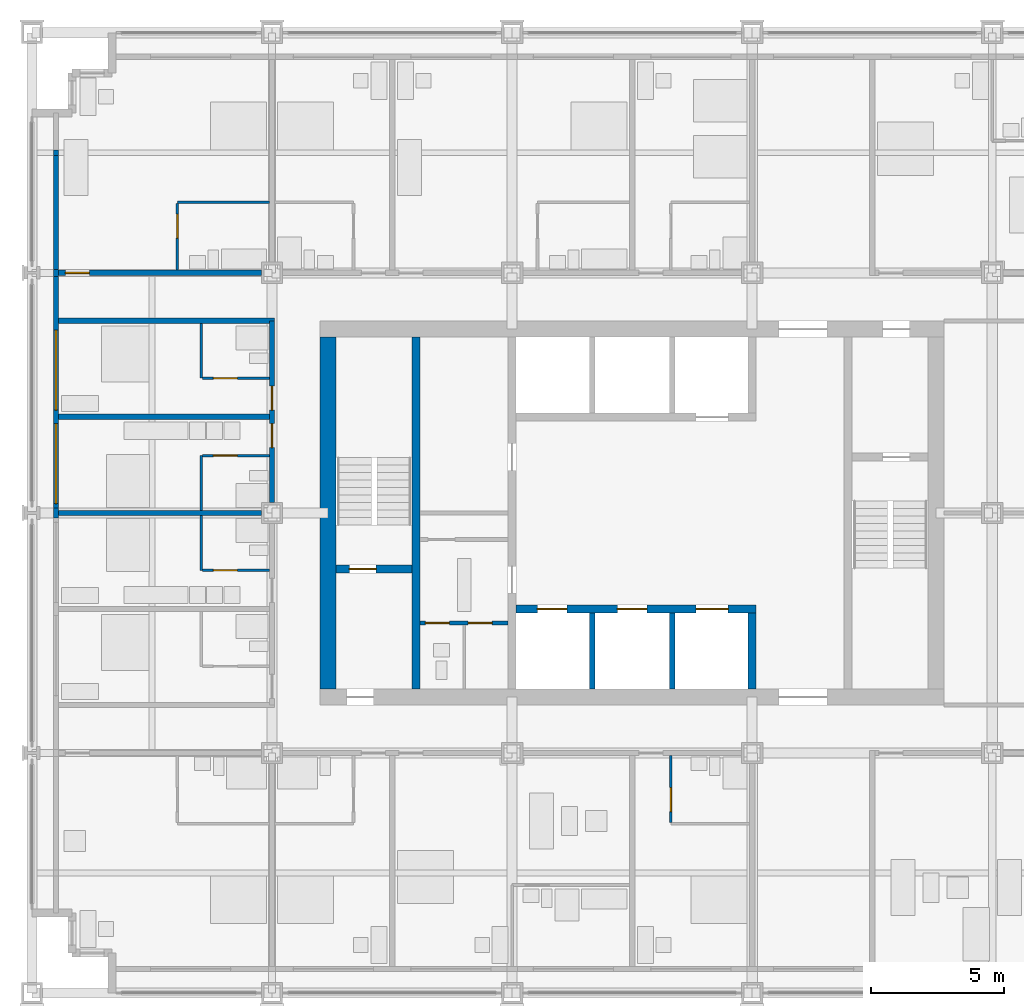
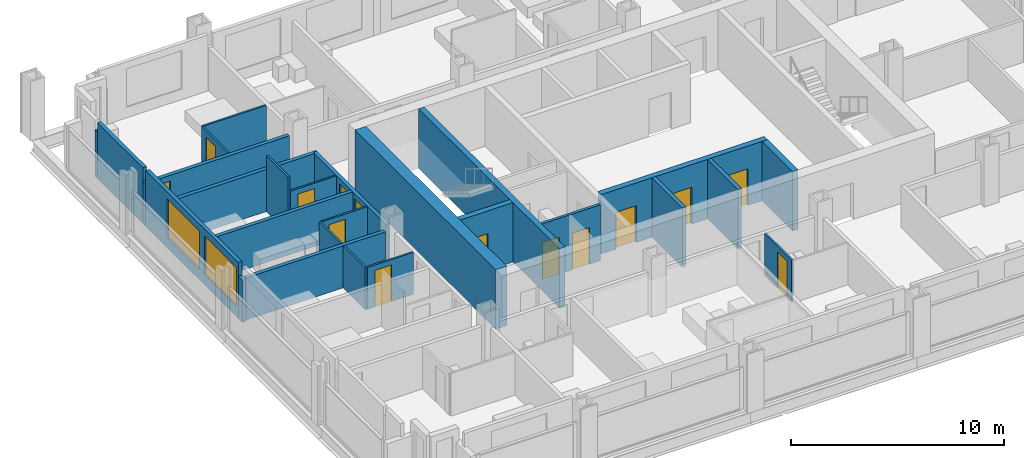
# One storey, part 11 of 18: 27 walls, 14 doors, 2 windows, 16 openings.
"""IFC4 building model written with IfcOpenShell, lengths in metres."""

from ifc_helpers import new_model, si_unit, direction, frame, frame_2d, origin, place, context, subcontext, project, spatial, rectangle, extrude, material, layer, layer_set, type_object, element, fill, save


model = new_model("IFC4")

# Units and contexts
model_context = context("Model", 3, precision=1e-05, world=origin(), true_north=direction((0.0, 1.0)))
body_context = subcontext(model_context, "Body", "Model", "MODEL_VIEW")
ifc_project = project(units=[si_unit("LENGTHUNIT", "METRE"), si_unit("AREAUNIT", "SQUARE_METRE"), si_unit("VOLUMEUNIT", "CUBIC_METRE"), si_unit("PLANEANGLEUNIT", "RADIAN"), si_unit("MASSUNIT", "GRAM", prefix="KILO")], contexts=[model_context])

# Site, building, storey
site_placement = place(None, origin())
site = spatial("IfcSite", under=ifc_project, at=site_placement, CompositionType="ELEMENT")
building_placement = place(site_placement, origin())
building = spatial("IfcBuilding", under=site, at=building_placement, Name="Loomwork Tower", CompositionType="ELEMENT")
storey_placement = place(building_placement, frame((0.0, 0.0, 51.800048828125)))
storey = spatial("IfcBuildingStorey", under=building, at=storey_placement, Name="L12", CompositionType="ELEMENT", Elevation=51.800048828125)

# Wall
ifc_material_1 = material(Name="Concrete 14000 psi (97 MPa)", Category="concrete")
ifc_layer_1 = layer(ifc_material_1, 0.300048828125)
ifc_layer_set_1 = layer_set([ifc_layer_1], Name="Core shear wall 300")
wall_type_1 = type_object("IfcWallType", Name="Core shear wall 300", PredefinedType="SHEAR", material=ifc_layer_set_1)
wall_1_placement = place(storey_placement, frame((14.39990234375, 11.39990234375, 0.0), z_axis=(0.0, 0.0, 1.0), x_axis=(0.0, 1.0, 0.0)))
element("IfcWall", 1, at=wall_1_placement, inside=storey, type_object=wall_type_1, Name="Stair A east wall L12", PredefinedType="SHEAR", context=body_context, shape_type="SweptSolid", body=[
    extrude(rectangle(XDim=13.2001953125, YDim=0.300048828125, at=frame_2d((6.60009765625, 0.0))), origin(), (0.0, 0.0, 1.0), 3.39990234375),
])

# Wall, opening, door
wall_2_placement = place(storey_placement, frame((11.39990234375, 15.89990234375, 0.0), z_axis=(0.0, 0.0, 1.0), x_axis=(1.0, 0.0, 0.0)))
wall_2 = element("IfcWall", 2, at=wall_2_placement, inside=storey, type_object=wall_type_1, Name="Stair A south wall L12", PredefinedType="SHEAR", context=body_context, shape_type="SweptSolid", body=[
    extrude(rectangle(XDim=2.85009765625, YDim=0.300048828125, at=frame_2d((1.425048828125, 0.0))), origin(), (0.0, 0.0, 1.0), 3.39990234375),
])
opening_1_placement = place(wall_2_placement, frame((0.5, 0.0, 0.0)))
opening_1 = element("IfcOpeningElement", 3, at=opening_1_placement, cuts=wall_2, Name="Opening D4", PredefinedType="OPENING", context=body_context, shape_type="SweptSolid", body=[
    extrude(rectangle(XDim=1.0, YDim=2.10009765625, at=frame_2d((0.5, 1.050048828125))), frame((0.0, 0.159912109375, 0.0), z_axis=(0.0, -1.0, 0.0), x_axis=(1.0, 0.0, 0.0)), (0.0, 0.0, 1.0), 0.320068359375),
])
ifc_material_2 = material(Name="Hollow metal door and frame")
door_type_1 = type_object("IfcDoorType", Name="Stair door 1000", OperationType="SINGLE_SWING_RIGHT", PredefinedType="DOOR", material=ifc_material_2)
door_1_placement = place(opening_1_placement, origin())
door_1 = element("IfcDoor", 4, at=door_1_placement, inside=storey, type_object=door_type_1, Name="Stair A door", OperationType="SINGLE_SWING_LEFT", OverallHeight=2.10009765625, OverallWidth=1.0, PredefinedType="DOOR", context=body_context, shape_type="SweptSolid", body=[
    extrude(rectangle(XDim=1.0, YDim=2.10009765625, at=frame_2d((0.5, 1.050048828125))), frame((0.0, 0.02490234375, 0.0), z_axis=(0.0, -1.0, 0.0), x_axis=(1.0, 0.0, 0.0)), (0.0, 0.0, 1.0), 0.050048828125),
])
fill(opening_1, door_1)

# Wall, openings, doors
wall_3_placement = place(storey_placement, frame((18.14990234375, 14.39990234375, 0.0), z_axis=(0.0, 0.0, 1.0), x_axis=(1.0, 0.0, 0.0)))
wall_3 = element("IfcWall", 5, at=wall_3_placement, inside=storey, type_object=wall_type_1, Name="Lift front wall south L12", PredefinedType="SHEAR", context=body_context, shape_type="SweptSolid", body=[
    extrude(rectangle(XDim=9.0, YDim=0.300048828125, at=frame_2d((4.5, 0.0))), origin(), (0.0, 0.0, 1.0), 3.39990234375),
])
opening_2_placement = place(wall_3_placement, frame((0.800048828125, 0.0, 0.0)))
opening_2 = element("IfcOpeningElement", 6, at=opening_2_placement, cuts=wall_3, Name="Opening LD1", PredefinedType="OPENING", context=body_context, shape_type="SweptSolid", body=[
    extrude(rectangle(XDim=1.10009765625, YDim=2.10009765625, at=frame_2d((0.550048828125, 1.050048828125))), frame((0.0, 0.159912109375, 0.0), z_axis=(0.0, -1.0, 0.0), x_axis=(1.0, 0.0, 0.0)), (0.0, 0.0, 1.0), 0.320068359375),
])
opening_3_placement = place(wall_3_placement, frame((3.800048828125, 0.0, 0.0)))
opening_3 = element("IfcOpeningElement", 7, at=opening_3_placement, cuts=wall_3, Name="Opening LD1", PredefinedType="OPENING", context=body_context, shape_type="SweptSolid", body=[
    extrude(rectangle(XDim=1.10009765625, YDim=2.10009765625, at=frame_2d((0.550048828125, 1.050048828125))), frame((0.0, 0.159912109375, 0.0), z_axis=(0.0, -1.0, 0.0), x_axis=(1.0, 0.0, 0.0)), (0.0, 0.0, 1.0), 0.320068359375),
])
opening_4_placement = place(wall_3_placement, frame((6.75, 0.0, 0.0)))
opening_4 = element("IfcOpeningElement", 8, at=opening_4_placement, cuts=wall_3, Name="Opening LD2", PredefinedType="OPENING", context=body_context, shape_type="SweptSolid", body=[
    extrude(rectangle(XDim=1.199951171875, YDim=2.10009765625, at=frame_2d((0.60009765625, 1.050048828125))), frame((0.0, 0.159912109375, 0.0), z_axis=(0.0, -1.0, 0.0), x_axis=(1.0, 0.0, 0.0)), (0.0, 0.0, 1.0), 0.320068359375),
])
ifc_material_3 = material(Name="Hollow metal door and frame")
door_type_2 = type_object("IfcDoorType", Name="Lift landing door 1100", OperationType="SLIDING_TO_LEFT", PredefinedType="DOOR", material=ifc_material_3)
door_2_placement = place(opening_2_placement, origin())
door_2 = element("IfcDoor", 9, at=door_2_placement, inside=storey, type_object=door_type_2, Name="Lift landing door LA1", OperationType="SLIDING_TO_LEFT", OverallHeight=2.10009765625, OverallWidth=1.10009765625, PredefinedType="DOOR", context=body_context, shape_type="SweptSolid", body=[
    extrude(rectangle(XDim=1.10009765625, YDim=2.10009765625, at=frame_2d((0.550048828125, 1.050048828125))), frame((0.0, 0.02490234375, 0.0), z_axis=(0.0, -1.0, 0.0), x_axis=(1.0, 0.0, 0.0)), (0.0, 0.0, 1.0), 0.050048828125),
])
fill(opening_2, door_2)
door_3_placement = place(opening_3_placement, origin())
door_3 = element("IfcDoor", 10, at=door_3_placement, inside=storey, type_object=door_type_2, Name="Lift landing door LA2", OperationType="SLIDING_TO_LEFT", OverallHeight=2.10009765625, OverallWidth=1.10009765625, PredefinedType="DOOR", context=body_context, shape_type="SweptSolid", body=[
    extrude(rectangle(XDim=1.10009765625, YDim=2.10009765625, at=frame_2d((0.550048828125, 1.050048828125))), frame((0.0, 0.02490234375, 0.0), z_axis=(0.0, -1.0, 0.0), x_axis=(1.0, 0.0, 0.0)), (0.0, 0.0, 1.0), 0.050048828125),
])
fill(opening_3, door_3)
ifc_material_4 = material(Name="Hollow metal door and frame")
door_type_3 = type_object("IfcDoorType", Name="Lift landing door 1200", OperationType="SLIDING_TO_LEFT", PredefinedType="DOOR", material=ifc_material_4)
door_4_placement = place(opening_4_placement, origin())
door_4 = element("IfcDoor", 11, at=door_4_placement, inside=storey, type_object=door_type_3, Name="Lift landing door LF1", OperationType="SLIDING_TO_LEFT", OverallHeight=2.10009765625, OverallWidth=1.199951171875, PredefinedType="DOOR", context=body_context, shape_type="SweptSolid", body=[
    extrude(rectangle(XDim=1.199951171875, YDim=2.10009765625, at=frame_2d((0.60009765625, 1.050048828125))), frame((0.0, 0.02490234375, 0.0), z_axis=(0.0, -1.0, 0.0), x_axis=(1.0, 0.0, 0.0)), (0.0, 0.0, 1.0), 0.050048828125),
])
fill(opening_4, door_4)

# Walls
wall_4_placement = place(storey_placement, frame((27.0, 11.39990234375, 0.0), z_axis=(0.0, 0.0, 1.0), x_axis=(0.0, 1.0, 0.0)))
element("IfcWall", 12, at=wall_4_placement, inside=storey, type_object=wall_type_1, Name="Lift shaft end wall south L12", PredefinedType="SHEAR", context=body_context, shape_type="SweptSolid", body=[
    extrude(rectangle(XDim=2.85009765625, YDim=0.300048828125, at=frame_2d((1.425048828125, 0.0))), origin(), (0.0, 0.0, 1.0), 3.39990234375),
])
ifc_material_5 = material(Name="Concrete 14000 psi (97 MPa)", Category="concrete")
ifc_layer_2 = layer(ifc_material_5, 0.60009765625)
ifc_layer_set_2 = layer_set([ifc_layer_2], Name="Core shear wall 600")
wall_type_2 = type_object("IfcWallType", Name="Core shear wall 600", PredefinedType="SHEAR", material=ifc_layer_set_2)
wall_5_placement = place(storey_placement, frame((11.10009765625, 11.39990234375, 0.0), z_axis=(0.0, 0.0, 1.0), x_axis=(0.0, 1.0, 0.0)))
element("IfcWall", 13, at=wall_5_placement, inside=storey, type_object=wall_type_2, Name="Core wall west L12", PredefinedType="SHEAR", context=body_context, shape_type="SweptSolid", body=[
    extrude(rectangle(XDim=13.2001953125, YDim=0.60009765625, at=frame_2d((6.60009765625, 0.0))), origin(), (0.0, 0.0, 1.0), 3.39990234375),
])

# Wall, opening, door
ifc_material_6 = material(Name="Gypsum board on steel studs, one-hour", Category="steel")
ifc_layer_3 = layer(ifc_material_6, 0.199951171875)
ifc_layer_set_3 = layer_set([ifc_layer_3], Name="Corridor wall 200")
wall_type_3 = type_object("IfcWallType", Name="Corridor wall 200", PredefinedType="PARTITIONING", material=ifc_layer_set_3)
wall_6_placement = place(storey_placement, frame((1.0, 27.0, 0.0), z_axis=(0.0, 0.0, 1.0), x_axis=(1.0, 0.0, 0.0)))
wall_6 = element("IfcWall", 14, at=wall_6_placement, inside=storey, type_object=wall_type_3, Name="North corridor wall 1", PredefinedType="PARTITIONING", context=body_context, shape_type="SweptSolid", body=[
    extrude(rectangle(XDim=7.60009765625, YDim=0.199951171875, at=frame_2d((3.800048828125, 0.0))), origin(), (0.0, 0.0, 1.0), 2.43798828125),
])
opening_5_placement = place(wall_6_placement, frame((0.25, 0.0, 0.0)))
opening_5 = element("IfcOpeningElement", 15, at=opening_5_placement, cuts=wall_6, Name="Opening D1", PredefinedType="OPENING", context=body_context, shape_type="SweptSolid", body=[
    extrude(rectangle(XDim=0.89990234375, YDim=2.10009765625, at=frame_2d((0.449951171875, 1.050048828125))), frame((0.0, 0.10986328125, 0.0), z_axis=(0.0, -1.0, 0.0), x_axis=(1.0, 0.0, 0.0)), (0.0, 0.0, 1.0), 0.219970703125),
])
ifc_material_7 = material(Name="Hollow metal door and frame")
door_type_4 = type_object("IfcDoorType", Name="Guest room entry door 900", OperationType="SINGLE_SWING_LEFT", PredefinedType="DOOR", material=ifc_material_7)
door_5_placement = place(opening_5_placement, origin())
door_5 = element("IfcDoor", 16, at=door_5_placement, inside=storey, type_object=door_type_4, Name="Guest room entry door L12 8", OperationType="SINGLE_SWING_LEFT", OverallHeight=2.10009765625, OverallWidth=0.89990234375, PredefinedType="DOOR", context=body_context, shape_type="SweptSolid", body=[
    extrude(rectangle(XDim=0.89990234375, YDim=2.10009765625, at=frame_2d((0.449951171875, 1.050048828125))), frame((0.0, 0.02490234375, 0.0), z_axis=(0.0, -1.0, 0.0), x_axis=(1.0, 0.0, 0.0)), (0.0, 0.0, 1.0), 0.050048828125),
])
fill(opening_5, door_5)

# Wall, openings, doors
wall_7_placement = place(storey_placement, frame((9.0, 18.39990234375, 0.0), z_axis=(0.0, 0.0, 1.0), x_axis=(0.0, 1.0, 0.0)))
wall_7 = element("IfcWall", 17, at=wall_7_placement, inside=storey, type_object=wall_type_3, Name="West corridor wall 2", PredefinedType="PARTITIONING", context=body_context, shape_type="SweptSolid", body=[
    extrude(rectangle(XDim=6.800048828125, YDim=0.199951171875, at=frame_2d((3.39990234375, 0.0))), origin(), (0.0, 0.0, 1.0), 2.405029296875),
])
opening_6_placement = place(wall_7_placement, frame((2.050048828125, 0.0, 0.0)))
opening_6 = element("IfcOpeningElement", 18, at=opening_6_placement, cuts=wall_7, Name="Opening D1", PredefinedType="OPENING", context=body_context, shape_type="SweptSolid", body=[
    extrude(rectangle(XDim=0.89990234375, YDim=2.10009765625, at=frame_2d((0.449951171875, 1.050048828125))), frame((0.0, 0.10986328125, 0.0), z_axis=(0.0, -1.0, 0.0), x_axis=(1.0, 0.0, 0.0)), (0.0, 0.0, 1.0), 0.219970703125),
])
opening_7_placement = place(wall_7_placement, frame((3.449951171875, 0.0, 0.0)))
opening_7 = element("IfcOpeningElement", 19, at=opening_7_placement, cuts=wall_7, Name="Opening D1", PredefinedType="OPENING", context=body_context, shape_type="SweptSolid", body=[
    extrude(rectangle(XDim=0.89990234375, YDim=2.10009765625, at=frame_2d((0.449951171875, 1.050048828125))), frame((0.0, 0.10986328125, 0.0), z_axis=(0.0, -1.0, 0.0), x_axis=(1.0, 0.0, 0.0)), (0.0, 0.0, 1.0), 0.219970703125),
])
door_6_placement = place(opening_6_placement, origin())
door_6 = element("IfcDoor", 20, at=door_6_placement, inside=storey, type_object=door_type_4, Name="Guest room entry door L12 17", OperationType="SINGLE_SWING_RIGHT", OverallHeight=2.10009765625, OverallWidth=0.89990234375, PredefinedType="DOOR", context=body_context, shape_type="SweptSolid", body=[
    extrude(rectangle(XDim=0.89990234375, YDim=2.10009765625, at=frame_2d((0.449951171875, 1.050048828125))), frame((0.0, 0.02490234375, 0.0), z_axis=(0.0, -1.0, 0.0), x_axis=(1.0, 0.0, 0.0)), (0.0, 0.0, 1.0), 0.050048828125),
])
fill(opening_6, door_6)
door_7_placement = place(opening_7_placement, origin())
door_7 = element("IfcDoor", 21, at=door_7_placement, inside=storey, type_object=door_type_4, Name="Guest room entry door L12 18", OperationType="SINGLE_SWING_LEFT", OverallHeight=2.10009765625, OverallWidth=0.89990234375, PredefinedType="DOOR", context=body_context, shape_type="SweptSolid", body=[
    extrude(rectangle(XDim=0.89990234375, YDim=2.10009765625, at=frame_2d((0.449951171875, 1.050048828125))), frame((0.0, 0.02490234375, 0.0), z_axis=(0.0, -1.0, 0.0), x_axis=(1.0, 0.0, 0.0)), (0.0, 0.0, 1.0), 0.050048828125),
])
fill(opening_7, door_7)

# Wall
wall_8_placement = place(storey_placement, frame((1.0, 25.199951171875, 0.0), z_axis=(0.0, 0.0, 1.0), x_axis=(1.0, 0.0, 0.0)))
element("IfcWall", 22, at=wall_8_placement, inside=storey, type_object=wall_type_3, Name="West band end wall N", PredefinedType="PARTITIONING", context=body_context, shape_type="SweptSolid", body=[
    extrude(rectangle(XDim=8.10009765625, YDim=0.199951171875, at=frame_2d((4.050048828125, 0.0))), origin(), (0.0, 0.0, 1.0), 2.404052734375),
])

# Wall, opening, door
ifc_material_8 = material(Name="Cement board on steel studs", Category="steel")
ifc_layer_4 = layer(ifc_material_8, 0.10009765625)
ifc_layer_set_4 = layer_set([ifc_layer_4], Name="En-suite partition 100")
wall_type_4 = type_object("IfcWallType", Name="En-suite partition 100", PredefinedType="PARTITIONING", material=ifc_layer_set_4)
wall_9_placement = place(storey_placement, frame((23.949951171875, 8.89990234375, 0.0), z_axis=(0.0, 0.0, 1.0), x_axis=(0.0, -1.0, 0.0)))
wall_9 = element("IfcWall", 23, at=wall_9_placement, inside=storey, type_object=wall_type_4, Name="En-suite side wall L12 room 4", PredefinedType="PARTITIONING", context=body_context, shape_type="SweptSolid", body=[
    extrude(rectangle(XDim=2.5, YDim=0.10009765625, at=frame_2d((1.25, 0.0))), origin(), (0.0, 0.0, 1.0), 2.404052734375),
])
opening_8_placement = place(wall_9_placement, frame((1.199951171875, 0.0, 0.0)))
opening_8 = element("IfcOpeningElement", 24, at=opening_8_placement, cuts=wall_9, Name="Opening D2", PredefinedType="OPENING", context=body_context, shape_type="SweptSolid", body=[
    extrude(rectangle(XDim=0.89990234375, YDim=2.10009765625, at=frame_2d((0.449951171875, 1.050048828125))), frame((0.0, 0.06005859375, 0.0), z_axis=(0.0, -1.0, 0.0), x_axis=(1.0, 0.0, 0.0)), (0.0, 0.0, 1.0), 0.1201171875),
])
ifc_material_9 = material(Name="Hollow metal door and frame")
door_type_5 = type_object("IfcDoorType", Name="En-suite door 900", OperationType="SINGLE_SWING_LEFT", PredefinedType="DOOR", material=ifc_material_9)
door_8_placement = place(opening_8_placement, origin())
door_8 = element("IfcDoor", 25, at=door_8_placement, inside=storey, type_object=door_type_5, Name="En-suite door room 4", OperationType="SINGLE_SWING_RIGHT", OverallHeight=2.10009765625, OverallWidth=0.89990234375, PredefinedType="DOOR", context=body_context, shape_type="SweptSolid", body=[
    extrude(rectangle(XDim=0.89990234375, YDim=2.10009765625, at=frame_2d((0.449951171875, 1.050048828125))), frame((0.0, 0.02490234375, 0.0), z_axis=(0.0, -1.0, 0.0), x_axis=(1.0, 0.0, 0.0)), (0.0, 0.0, 1.0), 0.050048828125),
])
fill(opening_8, door_8)

# Wall
wall_10_placement = place(storey_placement, frame((5.449951171875, 29.64990234375, 0.0), z_axis=(0.0, 0.0, 1.0), x_axis=(1.0, 0.0, 0.0)))
element("IfcWall", 26, at=wall_10_placement, inside=storey, type_object=wall_type_4, Name="En-suite wall L12 room 8", PredefinedType="PARTITIONING", context=body_context, shape_type="SweptSolid", body=[
    extrude(rectangle(XDim=3.449951171875, YDim=0.10009765625, at=frame_2d((1.72509765625, 0.0))), origin(), (0.0, 0.0, 1.0), 2.43798828125),
])

# Wall, opening, door
wall_11_placement = place(storey_placement, frame((5.449951171875, 27.10009765625, 0.0), z_axis=(0.0, 0.0, 1.0), x_axis=(0.0, 1.0, 0.0)))
wall_11 = element("IfcWall", 27, at=wall_11_placement, inside=storey, type_object=wall_type_4, Name="En-suite side wall L12 room 8", PredefinedType="PARTITIONING", context=body_context, shape_type="SweptSolid", body=[
    extrude(rectangle(XDim=2.5, YDim=0.10009765625, at=frame_2d((1.25, 0.0))), origin(), (0.0, 0.0, 1.0), 2.43798828125),
])
opening_9_placement = place(wall_11_placement, frame((1.199951171875, 0.0, 0.0)))
opening_9 = element("IfcOpeningElement", 28, at=opening_9_placement, cuts=wall_11, Name="Opening D2", PredefinedType="OPENING", context=body_context, shape_type="SweptSolid", body=[
    extrude(rectangle(XDim=0.89990234375, YDim=2.10009765625, at=frame_2d((0.449951171875, 1.050048828125))), frame((0.0, 0.06005859375, 0.0), z_axis=(0.0, -1.0, 0.0), x_axis=(1.0, 0.0, 0.0)), (0.0, 0.0, 1.0), 0.1201171875),
])
door_9_placement = place(opening_9_placement, frame((0.89990234375, 0.0, 0.0), z_axis=(0.0, 0.0, 1.0), x_axis=(-1.0, 0.0, 0.0)))
door_9 = element("IfcDoor", 29, at=door_9_placement, inside=storey, type_object=door_type_5, Name="En-suite door room 8", OperationType="SINGLE_SWING_LEFT", OverallHeight=2.10009765625, OverallWidth=0.89990234375, PredefinedType="DOOR", context=body_context, shape_type="SweptSolid", body=[
    extrude(rectangle(XDim=0.89990234375, YDim=2.10009765625, at=frame_2d((0.449951171875, 1.050048828125))), frame((0.0, 0.02490234375, 0.0), z_axis=(0.0, -1.0, 0.0), x_axis=(1.0, 0.0, 0.0)), (0.0, 0.0, 1.0), 0.050048828125),
])
fill(opening_9, door_9)

# Wall
wall_12_placement = place(storey_placement, frame((6.35009765625, 15.85009765625, 0.0), z_axis=(0.0, 0.0, 1.0), x_axis=(0.0, 1.0, 0.0)))
element("IfcWall", 30, at=wall_12_placement, inside=storey, type_object=wall_type_4, Name="En-suite wall L12 room 16", PredefinedType="PARTITIONING", context=body_context, shape_type="SweptSolid", body=[
    extrude(rectangle(XDim=2.0498046875, YDim=0.10009765625, at=frame_2d((1.02490234375, 0.0))), origin(), (0.0, 0.0, 1.0), 2.404052734375),
])

# Wall, opening, door
wall_13_placement = place(storey_placement, frame((8.89990234375, 15.85009765625, 0.0), z_axis=(0.0, 0.0, 1.0), x_axis=(-1.0, 0.0, 0.0)))
wall_13 = element("IfcWall", 31, at=wall_13_placement, inside=storey, type_object=wall_type_4, Name="En-suite side wall L12 room 16", PredefinedType="PARTITIONING", context=body_context, shape_type="SweptSolid", body=[
    extrude(rectangle(XDim=2.5, YDim=0.10009765625, at=frame_2d((1.25, 0.0))), origin(), (0.0, 0.0, 1.0), 2.404052734375),
])
opening_10_placement = place(wall_13_placement, frame((1.199951171875, 0.0, 0.0)))
opening_10 = element("IfcOpeningElement", 32, at=opening_10_placement, cuts=wall_13, Name="Opening D2", PredefinedType="OPENING", context=body_context, shape_type="SweptSolid", body=[
    extrude(rectangle(XDim=0.89990234375, YDim=2.10009765625, at=frame_2d((0.449951171875, 1.050048828125))), frame((0.0, 0.06005859375, 0.0), z_axis=(0.0, -1.0, 0.0), x_axis=(1.0, 0.0, 0.0)), (0.0, 0.0, 1.0), 0.1201171875),
])
door_10_placement = place(opening_10_placement, frame((0.89990234375, 0.0, 0.0), z_axis=(0.0, 0.0, 1.0), x_axis=(-1.0, 0.0, 0.0)))
door_10 = element("IfcDoor", 33, at=door_10_placement, inside=storey, type_object=door_type_5, Name="En-suite door room 16", OperationType="SINGLE_SWING_LEFT", OverallHeight=2.10009765625, OverallWidth=0.89990234375, PredefinedType="DOOR", context=body_context, shape_type="SweptSolid", body=[
    extrude(rectangle(XDim=0.89990234375, YDim=2.10009765625, at=frame_2d((0.449951171875, 1.050048828125))), frame((0.0, 0.02490234375, 0.0), z_axis=(0.0, -1.0, 0.0), x_axis=(1.0, 0.0, 0.0)), (0.0, 0.0, 1.0), 0.050048828125),
])
fill(opening_10, door_10)

# Wall
wall_14_placement = place(storey_placement, frame((6.35009765625, 18.10009765625, 0.0), z_axis=(0.0, 0.0, 1.0), x_axis=(0.0, 1.0, 0.0)))
element("IfcWall", 34, at=wall_14_placement, inside=storey, type_object=wall_type_4, Name="En-suite wall L12 room 17", PredefinedType="PARTITIONING", context=body_context, shape_type="SweptSolid", body=[
    extrude(rectangle(XDim=2.0498046875, YDim=0.10009765625, at=frame_2d((1.02490234375, 0.0))), origin(), (0.0, 0.0, 1.0), 2.404052734375),
])

# Wall, opening, door
wall_15_placement = place(storey_placement, frame((8.89990234375, 20.14990234375, 0.0), z_axis=(0.0, 0.0, 1.0), x_axis=(-1.0, 0.0, 0.0)))
wall_15 = element("IfcWall", 35, at=wall_15_placement, inside=storey, type_object=wall_type_4, Name="En-suite side wall L12 room 17", PredefinedType="PARTITIONING", context=body_context, shape_type="SweptSolid", body=[
    extrude(rectangle(XDim=2.5, YDim=0.10009765625, at=frame_2d((1.25, 0.0))), origin(), (0.0, 0.0, 1.0), 2.404052734375),
])
opening_11_placement = place(wall_15_placement, frame((1.199951171875, 0.0, 0.0)))
opening_11 = element("IfcOpeningElement", 36, at=opening_11_placement, cuts=wall_15, Name="Opening D2", PredefinedType="OPENING", context=body_context, shape_type="SweptSolid", body=[
    extrude(rectangle(XDim=0.89990234375, YDim=2.10009765625, at=frame_2d((0.449951171875, 1.050048828125))), frame((0.0, 0.06005859375, 0.0), z_axis=(0.0, -1.0, 0.0), x_axis=(1.0, 0.0, 0.0)), (0.0, 0.0, 1.0), 0.1201171875),
])
door_11_placement = place(opening_11_placement, origin())
door_11 = element("IfcDoor", 37, at=door_11_placement, inside=storey, type_object=door_type_5, Name="En-suite door room 17", OperationType="SINGLE_SWING_RIGHT", OverallHeight=2.10009765625, OverallWidth=0.89990234375, PredefinedType="DOOR", context=body_context, shape_type="SweptSolid", body=[
    extrude(rectangle(XDim=0.89990234375, YDim=2.10009765625, at=frame_2d((0.449951171875, 1.050048828125))), frame((0.0, 0.02490234375, 0.0), z_axis=(0.0, -1.0, 0.0), x_axis=(1.0, 0.0, 0.0)), (0.0, 0.0, 1.0), 0.050048828125),
])
fill(opening_11, door_11)

# Wall
wall_16_placement = place(storey_placement, frame((6.35009765625, 23.050048828125, 0.0), z_axis=(0.0, 0.0, 1.0), x_axis=(0.0, 1.0, 0.0)))
element("IfcWall", 38, at=wall_16_placement, inside=storey, type_object=wall_type_4, Name="En-suite wall L12 room 18", PredefinedType="PARTITIONING", context=body_context, shape_type="SweptSolid", body=[
    extrude(rectangle(XDim=2.050048828125, YDim=0.10009765625, at=frame_2d((1.02490234375, 0.0))), origin(), (0.0, 0.0, 1.0), 3.199951171875),
])

# Wall, opening, door
wall_17_placement = place(storey_placement, frame((8.89990234375, 23.050048828125, 0.0), z_axis=(0.0, 0.0, 1.0), x_axis=(-1.0, 0.0, 0.0)))
wall_17 = element("IfcWall", 39, at=wall_17_placement, inside=storey, type_object=wall_type_4, Name="En-suite side wall L12 room 18", PredefinedType="PARTITIONING", context=body_context, shape_type="SweptSolid", body=[
    extrude(rectangle(XDim=2.5, YDim=0.10009765625, at=frame_2d((1.25, 0.0))), origin(), (0.0, 0.0, 1.0), 2.404052734375),
])
opening_12_placement = place(wall_17_placement, frame((1.199951171875, 0.0, 0.0)))
opening_12 = element("IfcOpeningElement", 40, at=opening_12_placement, cuts=wall_17, Name="Opening D2", PredefinedType="OPENING", context=body_context, shape_type="SweptSolid", body=[
    extrude(rectangle(XDim=0.89990234375, YDim=2.10009765625, at=frame_2d((0.449951171875, 1.050048828125))), frame((0.0, 0.06005859375, 0.0), z_axis=(0.0, -1.0, 0.0), x_axis=(1.0, 0.0, 0.0)), (0.0, 0.0, 1.0), 0.1201171875),
])
door_12_placement = place(opening_12_placement, frame((0.89990234375, 0.0, 0.0), z_axis=(0.0, 0.0, 1.0), x_axis=(-1.0, 0.0, 0.0)))
door_12 = element("IfcDoor", 41, at=door_12_placement, inside=storey, type_object=door_type_5, Name="En-suite door room 18", OperationType="SINGLE_SWING_LEFT", OverallHeight=2.10009765625, OverallWidth=0.89990234375, PredefinedType="DOOR", context=body_context, shape_type="SweptSolid", body=[
    extrude(rectangle(XDim=0.89990234375, YDim=2.10009765625, at=frame_2d((0.449951171875, 1.050048828125))), frame((0.0, 0.02490234375, 0.0), z_axis=(0.0, -1.0, 0.0), x_axis=(1.0, 0.0, 0.0)), (0.0, 0.0, 1.0), 0.050048828125),
])
fill(opening_12, door_12)

# Walls
ifc_material_10 = material(Name="Gypsum board on steel studs, acoustic", Category="steel")
ifc_layer_5 = layer(ifc_material_10, 0.199951171875)
ifc_layer_set_5 = layer_set([ifc_layer_5], Name="Guest room party wall 200")
wall_type_5 = type_object("IfcWallType", Name="Guest room party wall 200", PredefinedType="PARTITIONING", material=ifc_layer_set_5)
wall_18_placement = place(storey_placement, frame((8.60009765625, 18.0, 0.0), z_axis=(0.0, 0.0, 1.0), x_axis=(-1.0, 0.0, 0.0)))
element("IfcWall", 42, at=wall_18_placement, inside=storey, type_object=wall_type_5, Name="Guest room party wall W 18", PredefinedType="PARTITIONING", context=body_context, shape_type="SweptSolid", body=[
    extrude(rectangle(XDim=7.60009765625, YDim=0.199951171875, at=frame_2d((3.800048828125, 0.0))), origin(), (0.0, 0.0, 1.0), 2.405029296875),
])
wall_19_placement = place(storey_placement, frame((8.89990234375, 21.60009765625, 0.0), z_axis=(0.0, 0.0, 1.0), x_axis=(-1.0, 0.0, 0.0)))
element("IfcWall", 43, at=wall_19_placement, inside=storey, type_object=wall_type_5, Name="Guest room party wall W 21.6", PredefinedType="PARTITIONING", context=body_context, shape_type="SweptSolid", body=[
    extrude(rectangle(XDim=7.89990234375, YDim=0.199951171875, at=frame_2d((3.949951171875, 0.0))), origin(), (0.0, 0.0, 1.0), 2.404052734375),
])
ifc_material_11 = material(Name="Insulated steel stud wall with gypsum lining", Category="steel")
ifc_layer_6 = layer(ifc_material_11, 0.199951171875)
ifc_layer_set_6 = layer_set([ifc_layer_6], Name="Inner skin wall 200")
wall_type_6 = type_object("IfcWallType", Name="Inner skin wall 200", PredefinedType="SOLIDWALL", material=ifc_layer_set_6)
wall_20_placement = place(storey_placement, frame((0.89990234375, 17.80615234375, 0.0), z_axis=(0.0, 0.0, 1.0), x_axis=(0.0, 1.0, 0.0)))
element("IfcWall", 44, at=wall_20_placement, inside=storey, type_object=wall_type_6, Name="Inner skin wall W bay 6", PredefinedType="SOLIDWALL", context=body_context, shape_type="SweptSolid", body=[
    extrude(rectangle(XDim=0.3876953125, YDim=0.199951171875, at=frame_2d((0.19384765625, 0.0))), origin(), (0.0, 0.0, 1.0), 2.404052734375),
])

# Wall, openings, windows
wall_21_placement = place(storey_placement, frame((0.89990234375, 18.19384765625, 0.0), z_axis=(0.0, 0.0, 1.0), x_axis=(0.0, 1.0, 0.0)))
wall_21 = element("IfcWall", 45, at=wall_21_placement, inside=storey, type_object=wall_type_6, Name="Inner skin wall W bay 7", PredefinedType="SOLIDWALL", context=body_context, shape_type="SweptSolid", body=[
    extrude(rectangle(XDim=8.6708984375, YDim=0.199951171875, at=frame_2d((4.33544921875, 0.0))), origin(), (0.0, 0.0, 1.0), 3.199951171875),
])
opening_13_placement = place(wall_21_placement, frame((0.15625, 0.0, 0.60009765625)))
opening_13 = element("IfcOpeningElement", 46, at=opening_13_placement, cuts=wall_21, Name="Opening CH1", PredefinedType="OPENING", context=body_context, shape_type="SweptSolid", body=[
    extrude(rectangle(XDim=3.0, YDim=2.199951171875, at=frame_2d((1.5, 1.10009765625))), frame((0.0, 0.10986328125, 0.0), z_axis=(0.0, -1.0, 0.0), x_axis=(1.0, 0.0, 0.0)), (0.0, 0.0, 1.0), 0.219970703125),
])
opening_14_placement = place(wall_21_placement, frame((3.65625, 0.0, 0.60009765625)))
opening_14 = element("IfcOpeningElement", 47, at=opening_14_placement, cuts=wall_21, Name="Opening CH1", PredefinedType="OPENING", context=body_context, shape_type="SweptSolid", body=[
    extrude(rectangle(XDim=3.0, YDim=2.199951171875, at=frame_2d((1.5, 1.10009765625))), frame((0.0, 0.10986328125, 0.0), z_axis=(0.0, -1.0, 0.0), x_axis=(1.0, 0.0, 0.0)), (0.0, 0.0, 1.0), 0.219970703125),
])
ifc_material_12 = material(Name="Aluminium frame with clear insulated glass", Category="aluminium")
window_type = type_object("IfcWindowType", Name="Chicago window 3000", PartitioningType="TRIPLE_PANEL_VERTICAL", PredefinedType="WINDOW", material=ifc_material_12)
window_1_placement = place(opening_13_placement, origin())
window_1 = element("IfcWindow", 48, at=window_1_placement, inside=storey, type_object=window_type, Name="Chicago window L12 bay 14", OverallHeight=2.199951171875, OverallWidth=3.0, PartitioningType="TRIPLE_PANEL_VERTICAL", PredefinedType="WINDOW", context=body_context, shape_type="SweptSolid", body=[
    extrude(rectangle(XDim=3.0, YDim=2.199951171875, at=frame_2d((1.5, 1.10009765625))), frame((0.0, 0.030029296875, 0.0), z_axis=(0.0, -1.0, 0.0), x_axis=(1.0, 0.0, 0.0)), (0.0, 0.0, 1.0), 0.06005859375),
])
fill(opening_13, window_1)
window_2_placement = place(opening_14_placement, origin())
window_2 = element("IfcWindow", 49, at=window_2_placement, inside=storey, type_object=window_type, Name="Chicago window L12 bay 14", OverallHeight=2.199951171875, OverallWidth=3.0, PartitioningType="TRIPLE_PANEL_VERTICAL", PredefinedType="WINDOW", context=body_context, shape_type="SweptSolid", body=[
    extrude(rectangle(XDim=3.0, YDim=2.199951171875, at=frame_2d((1.5, 1.10009765625))), frame((0.0, 0.030029296875, 0.0), z_axis=(0.0, -1.0, 0.0), x_axis=(1.0, 0.0, 0.0)), (0.0, 0.0, 1.0), 0.06005859375),
])
fill(opening_14, window_2)

# Walls
wall_22_placement = place(storey_placement, frame((0.89990234375, 26.86474609375, 0.0), z_axis=(0.0, 0.0, 1.0), x_axis=(0.0, 1.0, 0.0)))
element("IfcWall", 50, at=wall_22_placement, inside=storey, type_object=wall_type_6, Name="Inner skin wall W bay 8", PredefinedType="SOLIDWALL", context=body_context, shape_type="SweptSolid", body=[
    extrude(rectangle(XDim=0.2705078125, YDim=0.199951171875, at=frame_2d((0.13525390625, 0.0))), origin(), (0.0, 0.0, 1.0), 2.43798828125),
])
wall_23_placement = place(storey_placement, frame((0.89990234375, 27.13525390625, 0.0), z_axis=(0.0, 0.0, 1.0), x_axis=(0.0, 1.0, 0.0)))
element("IfcWall", 51, at=wall_23_placement, inside=storey, type_object=wall_type_6, Name="Inner skin wall W bay 9", PredefinedType="SOLIDWALL", context=body_context, shape_type="SweptSolid", body=[
    extrude(rectangle(XDim=4.25732421875, YDim=0.199951171875, at=frame_2d((2.128662109375, 0.0))), origin(), (0.0, 0.0, 1.0), 3.199951171875),
])
wall_24_placement = place(storey_placement, frame((0.89990234375, 31.392578125, 0.0), z_axis=(0.0, 0.0, 1.0), x_axis=(0.0, 1.0, 0.0)))
element("IfcWall", 52, at=wall_24_placement, inside=storey, type_object=wall_type_6, Name="Inner skin wall W bay 10", PredefinedType="SOLIDWALL", context=body_context, shape_type="SweptSolid", body=[
    extrude(rectangle(XDim=0.21484375, YDim=0.199951171875, at=frame_2d((0.107421875, 0.0))), origin(), (0.0, 0.0, 1.0), 2.660888671875),
])
ifc_material_13 = material(Name="Concrete 14000 psi (97 MPa)", Category="concrete")
ifc_layer_7 = layer(ifc_material_13, 0.199951171875)
ifc_layer_set_7 = layer_set([ifc_layer_7], Name="Lift shaft wall 200")
wall_type_7 = type_object("IfcWallType", Name="Lift shaft wall 200", PredefinedType="SHEAR", material=ifc_layer_set_7)
for number, where, z_axis, x_axis, name in (
    (53, (21.0, 11.39990234375, 0.0), (0.0, 0.0, 1.0), (0.0, 1.0, 0.0), "Lift shaft separation wall south 1 L12"),
    (54, (24.0, 11.39990234375, 0.0), (0.0, 0.0, 1.0), (0.0, 1.0, 0.0), "Lift shaft separation wall south 2 L12"),
):
    element("IfcWall", number, at=place(storey_placement, frame(where, z_axis=z_axis, x_axis=x_axis)), inside=storey, type_object=wall_type_7, Name=name, PredefinedType="SHEAR", context=body_context, shape_type="SweptSolid", body=[
        extrude(rectangle(XDim=2.85009765625, YDim=0.199951171875, at=frame_2d((1.425048828125, 0.0))), origin(), (0.0, 0.0, 1.0), 3.39990234375),
    ])

# Wall, openings, doors
ifc_material_14 = material(Name="Gypsum board on steel studs, one-hour", Category="steel")
ifc_layer_8 = layer(ifc_material_14, 0.14990234375)
ifc_layer_set_8 = layer_set([ifc_layer_8], Name="Service partition 150")
wall_type_8 = type_object("IfcWallType", Name="Service partition 150", PredefinedType="PARTITIONING", material=ifc_layer_set_8)
wall_25_placement = place(storey_placement, frame((14.550048828125, 13.875, 0.0), z_axis=(0.0, 0.0, 1.0), x_axis=(1.0, 0.0, 0.0)))
wall_25 = element("IfcWall", 55, at=wall_25_placement, inside=storey, type_object=wall_type_8, Name="Back-of-house partition L12", PredefinedType="PARTITIONING", context=body_context, shape_type="SweptSolid", body=[
    extrude(rectangle(XDim=3.300048828125, YDim=0.14990234375, at=frame_2d((1.64990234375, 0.0))), origin(), (0.0, 0.0, 1.0), 3.199951171875),
])
opening_15_placement = place(wall_25_placement, frame((0.199951171875, 0.0, 0.0)))
opening_15 = element("IfcOpeningElement", 56, at=opening_15_placement, cuts=wall_25, Name="Opening D20", PredefinedType="OPENING", context=body_context, shape_type="SweptSolid", body=[
    extrude(rectangle(XDim=0.89990234375, YDim=2.10009765625, at=frame_2d((0.449951171875, 1.050048828125))), frame((0.0, 0.0849609375, 0.0), z_axis=(0.0, -1.0, 0.0), x_axis=(1.0, 0.0, 0.0)), (0.0, 0.0, 1.0), 0.169921875),
])
opening_16_placement = place(wall_25_placement, frame((1.800048828125, 0.0, 0.0)))
opening_16 = element("IfcOpeningElement", 57, at=opening_16_placement, cuts=wall_25, Name="Opening D20", PredefinedType="OPENING", context=body_context, shape_type="SweptSolid", body=[
    extrude(rectangle(XDim=0.89990234375, YDim=2.10009765625, at=frame_2d((0.449951171875, 1.050048828125))), frame((0.0, 0.0849609375, 0.0), z_axis=(0.0, -1.0, 0.0), x_axis=(1.0, 0.0, 0.0)), (0.0, 0.0, 1.0), 0.169921875),
])
ifc_material_15 = material(Name="Hollow metal door and frame")
door_type_6 = type_object("IfcDoorType", Name="Back-of-house door 900", OperationType="SINGLE_SWING_LEFT", PredefinedType="DOOR", material=ifc_material_15)
door_13_placement = place(opening_15_placement, frame((0.89990234375, 0.0, 0.0), z_axis=(0.0, 0.0, 1.0), x_axis=(-1.0, 0.0, 0.0)))
door_13 = element("IfcDoor", 58, at=door_13_placement, inside=storey, type_object=door_type_6, Name="Back-of-house room door", OperationType="SINGLE_SWING_RIGHT", OverallHeight=2.10009765625, OverallWidth=0.89990234375, PredefinedType="DOOR", context=body_context, shape_type="SweptSolid", body=[
    extrude(rectangle(XDim=0.89990234375, YDim=2.10009765625, at=frame_2d((0.449951171875, 1.050048828125))), frame((0.0, 0.02490234375, 0.0), z_axis=(0.0, -1.0, 0.0), x_axis=(1.0, 0.0, 0.0)), (0.0, 0.0, 1.0), 0.050048828125),
])
fill(opening_15, door_13)
door_14_placement = place(opening_16_placement, frame((0.89990234375, 0.0, 0.0), z_axis=(0.0, 0.0, 1.0), x_axis=(-1.0, 0.0, 0.0)))
door_14 = element("IfcDoor", 59, at=door_14_placement, inside=storey, type_object=door_type_6, Name="Back-of-house room door", OperationType="SINGLE_SWING_RIGHT", OverallHeight=2.10009765625, OverallWidth=0.89990234375, PredefinedType="DOOR", context=body_context, shape_type="SweptSolid", body=[
    extrude(rectangle(XDim=0.89990234375, YDim=2.10009765625, at=frame_2d((0.449951171875, 1.050048828125))), frame((0.0, 0.02490234375, 0.0), z_axis=(0.0, -1.0, 0.0), x_axis=(1.0, 0.0, 0.0)), (0.0, 0.0, 1.0), 0.050048828125),
])
fill(opening_16, door_14)

save(model, "model.ifc")
